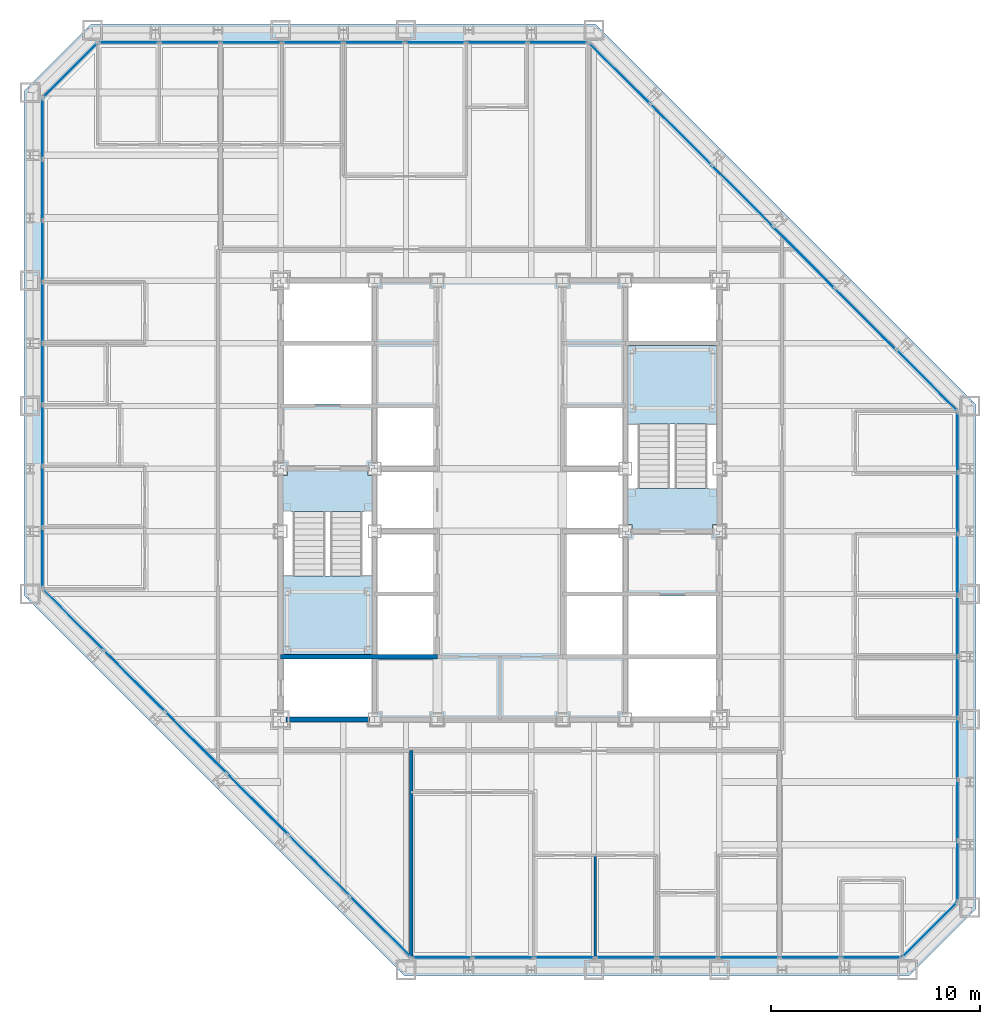
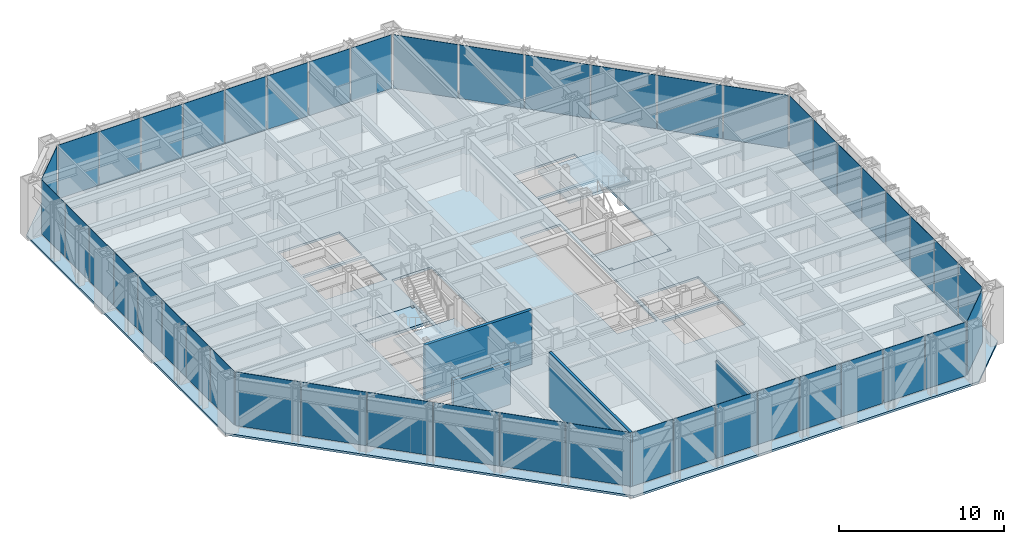
# One storey, part 9 of 16: 46 plates, 5 slabs, 4 walls, 10 elements without a shape of their own.
"""IFC4 building model written with IfcOpenShell, lengths in metres."""

from ifc_helpers import new_model, si_unit, direction, frame, frame_2d, origin, origin_2d, place, context, subcontext, project, spatial, polyline, rectangle, outline, extrude, material, layer, layer_set, type_object, element, aggregate, save


model = new_model("IFC4")

# Units and contexts
model_context = context("Model", 3, precision=1e-05, world=origin(), true_north=direction((0.0, 1.0)))
body_context = subcontext(model_context, "Body", "Model", "MODEL_VIEW")
ifc_project = project(units=[si_unit("LENGTHUNIT", "METRE"), si_unit("AREAUNIT", "SQUARE_METRE"), si_unit("VOLUMEUNIT", "CUBIC_METRE"), si_unit("PLANEANGLEUNIT", "RADIAN"), si_unit("MASSUNIT", "GRAM", prefix="KILO")], contexts=[model_context])

# Site, building, storey
site_placement = place(None, origin())
site = spatial("IfcSite", under=ifc_project, at=site_placement, CompositionType="ELEMENT")
building_placement = place(site_placement, origin())
building = spatial("IfcBuilding", under=site, at=building_placement, Name="Chuquiago Exchange Tower", CompositionType="ELEMENT")
storey_placement = place(building_placement, frame((0.0, 0.0, 148.800048828125)))
storey = spatial("IfcBuildingStorey", under=building, at=storey_placement, Name="L32", CompositionType="ELEMENT", Elevation=148.800048828125)

# Curtain wall, plates
ifc_material_1 = material(Name="Aluminium curtain wall system", Category="aluminium")
ifc_layer_1 = layer(ifc_material_1, 0.22509765625)
ifc_layer_set_1 = layer_set([ifc_layer_1], Name="CW2 office curtain wall")
curtain_wall_type_1 = type_object("IfcCurtainWallType", Name="CW2 office curtain wall", PredefinedType="NOTDEFINED", material=ifc_layer_set_1)
curtain_wall_1_placement = place(storey_placement, origin())
curtain_wall_1 = element("IfcCurtainWall", 1, at=curtain_wall_1_placement, inside=storey, type_object=curtain_wall_type_1, Name="CW2 curtain wall L32", PredefinedType="NOTDEFINED")
ifc_material_2 = material(Name="Glass, insulating unit", Category="glass")
ifc_layer_2 = layer(ifc_material_2, 0.030029296875)
ifc_layer_set_2 = layer_set([ifc_layer_2], Name="CW2-P panel 30")
plate_type_1 = type_object("IfcPlateType", Name="CW2-P panel 30", PredefinedType="CURTAIN_PANEL", material=ifc_layer_set_2)
plate_1_placement = place(storey_placement, frame((25.59326171875, 0.60009765625, 0.06494140625), z_axis=(0.0, 0.0, 1.0), x_axis=(1.0, 0.0, 0.0)))
plate_1 = element("IfcPlate", 2, at=plate_1_placement, type_object=plate_type_1, Name="CW2 panel 3.1", PredefinedType="CURTAIN_PANEL", context=body_context, shape_type="SweptSolid", body=[
    extrude(rectangle(XDim=2.872802734375, YDim=0.030029296875, at=origin_2d()), origin(), (0.0, 0.0, 1.0), 3.97509765625),
])
plate_2_placement = place(storey_placement, frame((34.40673828125, 0.60009765625, 0.06494140625), z_axis=(0.0, 0.0, 1.0), x_axis=(1.0, 0.0, 0.0)))
plate_2 = element("IfcPlate", 3, at=plate_2_placement, type_object=plate_type_1, Name="CW2 panel 6.1", PredefinedType="CURTAIN_PANEL", context=body_context, shape_type="SweptSolid", body=[
    extrude(rectangle(XDim=2.872802734375, YDim=0.030029296875, at=origin_2d()), origin(), (0.0, 0.0, 1.0), 3.97509765625),
])

curtain_wall_2_placement = place(storey_placement, origin())
curtain_wall_2 = element("IfcCurtainWall", 4, at=curtain_wall_2_placement, inside=storey, type_object=curtain_wall_type_1, Name="CW2 curtain wall L32", PredefinedType="NOTDEFINED")
plate_3_placement = place(storey_placement, frame((44.39990234375, 10.59326171875, 0.06494140625), z_axis=(0.0, 0.0, 1.0), x_axis=(0.0, 1.0, 0.0)))
plate_3 = element("IfcPlate", 5, at=plate_3_placement, type_object=plate_type_1, Name="CW2 panel 3.1", PredefinedType="CURTAIN_PANEL", context=body_context, shape_type="SweptSolid", body=[
    extrude(rectangle(XDim=2.872802734375, YDim=0.030029296875, at=origin_2d()), origin(), (0.0, 0.0, 1.0), 3.97509765625),
])
plate_4_placement = place(storey_placement, frame((44.39990234375, 19.40673828125, 0.06494140625), z_axis=(0.0, 0.0, 1.0), x_axis=(0.0, 1.0, 0.0)))
plate_4 = element("IfcPlate", 6, at=plate_4_placement, type_object=plate_type_1, Name="CW2 panel 6.1", PredefinedType="CURTAIN_PANEL", context=body_context, shape_type="SweptSolid", body=[
    extrude(rectangle(XDim=2.872802734375, YDim=0.030029296875, at=origin_2d()), origin(), (0.0, 0.0, 1.0), 3.97509765625),
])

curtain_wall_3_placement = place(storey_placement, origin())
curtain_wall_3 = element("IfcCurtainWall", 7, at=curtain_wall_3_placement, inside=storey, type_object=curtain_wall_type_1, Name="CW2 curtain wall L32", PredefinedType="NOTDEFINED")
plate_5_placement = place(storey_placement, frame((19.40673828125, 44.39990234375, 0.06494140625), z_axis=(0.0, 0.0, 1.0), x_axis=(-1.0, 0.0, 0.0)))
plate_5 = element("IfcPlate", 8, at=plate_5_placement, type_object=plate_type_1, Name="CW2 panel 3.1", PredefinedType="CURTAIN_PANEL", context=body_context, shape_type="SweptSolid", body=[
    extrude(rectangle(XDim=2.872802734375, YDim=0.030029296875, at=origin_2d()), origin(), (0.0, 0.0, 1.0), 3.97509765625),
])
plate_6_placement = place(storey_placement, frame((10.59326171875, 44.39990234375, 0.06494140625), z_axis=(0.0, 0.0, 1.0), x_axis=(-1.0, 0.0, 0.0)))
plate_6 = element("IfcPlate", 9, at=plate_6_placement, type_object=plate_type_1, Name="CW2 panel 6.1", PredefinedType="CURTAIN_PANEL", context=body_context, shape_type="SweptSolid", body=[
    extrude(rectangle(XDim=2.872802734375, YDim=0.030029296875, at=origin_2d()), origin(), (0.0, 0.0, 1.0), 3.97509765625),
])

curtain_wall_4_placement = place(storey_placement, origin())
curtain_wall_4 = element("IfcCurtainWall", 10, at=curtain_wall_4_placement, inside=storey, type_object=curtain_wall_type_1, Name="CW2 curtain wall L32", PredefinedType="NOTDEFINED")
plate_7_placement = place(storey_placement, frame((0.60009765625, 34.40673828125, 0.06494140625), z_axis=(0.0, 0.0, 1.0), x_axis=(0.0, -1.0, 0.0)))
plate_7 = element("IfcPlate", 11, at=plate_7_placement, type_object=plate_type_1, Name="CW2 panel 3.1", PredefinedType="CURTAIN_PANEL", context=body_context, shape_type="SweptSolid", body=[
    extrude(rectangle(XDim=2.872802734375, YDim=0.030029296875, at=origin_2d()), origin(), (0.0, 0.0, 1.0), 3.97509765625),
])
plate_8_placement = place(storey_placement, frame((0.60009765625, 25.59326171875, 0.06494140625), z_axis=(0.0, 0.0, 1.0), x_axis=(0.0, -1.0, 0.0)))
plate_8 = element("IfcPlate", 12, at=plate_8_placement, type_object=plate_type_1, Name="CW2 panel 6.1", PredefinedType="CURTAIN_PANEL", context=body_context, shape_type="SweptSolid", body=[
    extrude(rectangle(XDim=2.872802734375, YDim=0.030029296875, at=origin_2d()), origin(), (0.0, 0.0, 1.0), 3.97509765625),
])

# Plate
ifc_material_3 = material(Name="Insulated spandrel panel, pale anodised aluminium", Category="aluminium")
ifc_layer_3 = layer(ifc_material_3, 0.030029296875)
ifc_layer_set_3 = layer_set([ifc_layer_3], Name="CW2-P spandrel panel 30")
plate_type_2 = type_object("IfcPlateType", Name="CW2-P spandrel panel 30", PredefinedType="CURTAIN_PANEL", material=ifc_layer_set_3)
plate_9_placement = place(storey_placement, frame((19.733642578125, 0.60009765625, 0.06494140625), z_axis=(0.0, 0.0, 1.0), x_axis=(1.0, 0.0, 0.0)))
plate_9 = element("IfcPlate", 13, at=plate_9_placement, type_object=plate_type_2, Name="CW2 panel 1.1", PredefinedType="CURTAIN_PANEL", context=body_context, shape_type="SweptSolid", body=[
    extrude(rectangle(XDim=2.84033203125, YDim=0.030029296875, at=origin_2d()), origin(), (0.0, 0.0, 1.0), 3.97509765625),
])

plate_10_placement = place(storey_placement, frame((22.6552734375, 0.60009765625, 0.06494140625), z_axis=(0.0, 0.0, 1.0), x_axis=(1.0, 0.0, 0.0)))
plate_10 = element("IfcPlate", 14, at=plate_10_placement, type_object=plate_type_2, Name="CW2 panel 2.1", PredefinedType="CURTAIN_PANEL", context=body_context, shape_type="SweptSolid", body=[
    extrude(rectangle(XDim=2.872802734375, YDim=0.030029296875, at=origin_2d()), origin(), (0.0, 0.0, 1.0), 3.97509765625),
])

plate_11_placement = place(storey_placement, frame((28.531005859375, 0.60009765625, 0.06494140625), z_axis=(0.0, 0.0, 1.0), x_axis=(1.0, 0.0, 0.0)))
plate_11 = element("IfcPlate", 15, at=plate_11_placement, type_object=plate_type_2, Name="CW2 panel 4.1", PredefinedType="CURTAIN_PANEL", context=body_context, shape_type="SweptSolid", body=[
    extrude(rectangle(XDim=2.872802734375, YDim=0.030029296875, at=origin_2d()), origin(), (0.0, 0.0, 1.0), 3.97509765625),
])

plate_12_placement = place(storey_placement, frame((31.468994140625, 0.60009765625, 0.06494140625), z_axis=(0.0, 0.0, 1.0), x_axis=(1.0, 0.0, 0.0)))
plate_12 = element("IfcPlate", 16, at=plate_12_placement, type_object=plate_type_2, Name="CW2 panel 5.1", PredefinedType="CURTAIN_PANEL", context=body_context, shape_type="SweptSolid", body=[
    extrude(rectangle(XDim=2.872802734375, YDim=0.030029296875, at=origin_2d()), origin(), (0.0, 0.0, 1.0), 3.97509765625),
])

plate_13_placement = place(storey_placement, frame((37.3447265625, 0.60009765625, 0.06494140625), z_axis=(0.0, 0.0, 1.0), x_axis=(1.0, 0.0, 0.0)))
plate_13 = element("IfcPlate", 17, at=plate_13_placement, type_object=plate_type_2, Name="CW2 panel 7.1", PredefinedType="CURTAIN_PANEL", context=body_context, shape_type="SweptSolid", body=[
    extrude(rectangle(XDim=2.872802734375, YDim=0.030029296875, at=origin_2d()), origin(), (0.0, 0.0, 1.0), 3.97509765625),
])

plate_14_placement = place(storey_placement, frame((40.266357421875, 0.60009765625, 0.06494140625), z_axis=(0.0, 0.0, 1.0), x_axis=(1.0, 0.0, 0.0)))
plate_14 = element("IfcPlate", 18, at=plate_14_placement, type_object=plate_type_2, Name="CW2 panel 8.1", PredefinedType="CURTAIN_PANEL", context=body_context, shape_type="SweptSolid", body=[
    extrude(rectangle(XDim=2.84033203125, YDim=0.030029296875, at=origin_2d()), origin(), (0.0, 0.0, 1.0), 3.97509765625),
])

aggregate(curtain_wall_1, [plate_9, plate_10, plate_1, plate_11, plate_12, plate_2, plate_13, plate_14])

plate_15_placement = place(storey_placement, frame((44.39990234375, 4.733642578125, 0.06494140625), z_axis=(0.0, 0.0, 1.0), x_axis=(0.0, 1.0, 0.0)))
plate_15 = element("IfcPlate", 19, at=plate_15_placement, type_object=plate_type_2, Name="CW2 panel 1.1", PredefinedType="CURTAIN_PANEL", context=body_context, shape_type="SweptSolid", body=[
    extrude(rectangle(XDim=2.84033203125, YDim=0.030029296875, at=origin_2d()), origin(), (0.0, 0.0, 1.0), 3.97509765625),
])

plate_16_placement = place(storey_placement, frame((44.39990234375, 7.6552734375, 0.06494140625), z_axis=(0.0, 0.0, 1.0), x_axis=(0.0, 1.0, 0.0)))
plate_16 = element("IfcPlate", 20, at=plate_16_placement, type_object=plate_type_2, Name="CW2 panel 2.1", PredefinedType="CURTAIN_PANEL", context=body_context, shape_type="SweptSolid", body=[
    extrude(rectangle(XDim=2.872802734375, YDim=0.030029296875, at=origin_2d()), origin(), (0.0, 0.0, 1.0), 3.97509765625),
])

plate_17_placement = place(storey_placement, frame((44.39990234375, 13.531005859375, 0.06494140625), z_axis=(0.0, 0.0, 1.0), x_axis=(0.0, 1.0, 0.0)))
plate_17 = element("IfcPlate", 21, at=plate_17_placement, type_object=plate_type_2, Name="CW2 panel 4.1", PredefinedType="CURTAIN_PANEL", context=body_context, shape_type="SweptSolid", body=[
    extrude(rectangle(XDim=2.872802734375, YDim=0.030029296875, at=origin_2d()), origin(), (0.0, 0.0, 1.0), 3.97509765625),
])

plate_18_placement = place(storey_placement, frame((44.39990234375, 16.468994140625, 0.06494140625), z_axis=(0.0, 0.0, 1.0), x_axis=(0.0, 1.0, 0.0)))
plate_18 = element("IfcPlate", 22, at=plate_18_placement, type_object=plate_type_2, Name="CW2 panel 5.1", PredefinedType="CURTAIN_PANEL", context=body_context, shape_type="SweptSolid", body=[
    extrude(rectangle(XDim=2.872802734375, YDim=0.030029296875, at=origin_2d()), origin(), (0.0, 0.0, 1.0), 3.97509765625),
])

plate_19_placement = place(storey_placement, frame((44.39990234375, 22.3447265625, 0.06494140625), z_axis=(0.0, 0.0, 1.0), x_axis=(0.0, 1.0, 0.0)))
plate_19 = element("IfcPlate", 23, at=plate_19_placement, type_object=plate_type_2, Name="CW2 panel 7.1", PredefinedType="CURTAIN_PANEL", context=body_context, shape_type="SweptSolid", body=[
    extrude(rectangle(XDim=2.872802734375, YDim=0.030029296875, at=origin_2d()), origin(), (0.0, 0.0, 1.0), 3.97509765625),
])

plate_20_placement = place(storey_placement, frame((44.39990234375, 25.266357421875, 0.06494140625), z_axis=(0.0, 0.0, 1.0), x_axis=(0.0, 1.0, 0.0)))
plate_20 = element("IfcPlate", 24, at=plate_20_placement, type_object=plate_type_2, Name="CW2 panel 8.1", PredefinedType="CURTAIN_PANEL", context=body_context, shape_type="SweptSolid", body=[
    extrude(rectangle(XDim=2.84033203125, YDim=0.030029296875, at=origin_2d()), origin(), (0.0, 0.0, 1.0), 3.97509765625),
])

aggregate(curtain_wall_2, [plate_15, plate_16, plate_3, plate_17, plate_18, plate_4, plate_19, plate_20])

plate_21_placement = place(storey_placement, frame((25.266357421875, 44.39990234375, 0.06494140625), z_axis=(0.0, 0.0, 1.0), x_axis=(-1.0, 0.0, 0.0)))
plate_21 = element("IfcPlate", 25, at=plate_21_placement, type_object=plate_type_2, Name="CW2 panel 1.1", PredefinedType="CURTAIN_PANEL", context=body_context, shape_type="SweptSolid", body=[
    extrude(rectangle(XDim=2.84033203125, YDim=0.030029296875, at=origin_2d()), origin(), (0.0, 0.0, 1.0), 3.97509765625),
])

plate_22_placement = place(storey_placement, frame((22.3447265625, 44.39990234375, 0.06494140625), z_axis=(0.0, 0.0, 1.0), x_axis=(-1.0, 0.0, 0.0)))
plate_22 = element("IfcPlate", 26, at=plate_22_placement, type_object=plate_type_2, Name="CW2 panel 2.1", PredefinedType="CURTAIN_PANEL", context=body_context, shape_type="SweptSolid", body=[
    extrude(rectangle(XDim=2.872802734375, YDim=0.030029296875, at=origin_2d()), origin(), (0.0, 0.0, 1.0), 3.97509765625),
])

plate_23_placement = place(storey_placement, frame((16.468994140625, 44.39990234375, 0.06494140625), z_axis=(0.0, 0.0, 1.0), x_axis=(-1.0, 0.0, 0.0)))
plate_23 = element("IfcPlate", 27, at=plate_23_placement, type_object=plate_type_2, Name="CW2 panel 4.1", PredefinedType="CURTAIN_PANEL", context=body_context, shape_type="SweptSolid", body=[
    extrude(rectangle(XDim=2.872802734375, YDim=0.030029296875, at=origin_2d()), origin(), (0.0, 0.0, 1.0), 3.97509765625),
])

plate_24_placement = place(storey_placement, frame((13.531005859375, 44.39990234375, 0.06494140625), z_axis=(0.0, 0.0, 1.0), x_axis=(-1.0, 0.0, 0.0)))
plate_24 = element("IfcPlate", 28, at=plate_24_placement, type_object=plate_type_2, Name="CW2 panel 5.1", PredefinedType="CURTAIN_PANEL", context=body_context, shape_type="SweptSolid", body=[
    extrude(rectangle(XDim=2.872802734375, YDim=0.030029296875, at=origin_2d()), origin(), (0.0, 0.0, 1.0), 3.97509765625),
])

plate_25_placement = place(storey_placement, frame((7.6552734375, 44.39990234375, 0.06494140625), z_axis=(0.0, 0.0, 1.0), x_axis=(-1.0, 0.0, 0.0)))
plate_25 = element("IfcPlate", 29, at=plate_25_placement, type_object=plate_type_2, Name="CW2 panel 7.1", PredefinedType="CURTAIN_PANEL", context=body_context, shape_type="SweptSolid", body=[
    extrude(rectangle(XDim=2.872802734375, YDim=0.030029296875, at=origin_2d()), origin(), (0.0, 0.0, 1.0), 3.97509765625),
])

plate_26_placement = place(storey_placement, frame((4.733642578125, 44.39990234375, 0.06494140625), z_axis=(0.0, 0.0, 1.0), x_axis=(-1.0, 0.0, 0.0)))
plate_26 = element("IfcPlate", 30, at=plate_26_placement, type_object=plate_type_2, Name="CW2 panel 8.1", PredefinedType="CURTAIN_PANEL", context=body_context, shape_type="SweptSolid", body=[
    extrude(rectangle(XDim=2.84033203125, YDim=0.030029296875, at=origin_2d()), origin(), (0.0, 0.0, 1.0), 3.97509765625),
])

aggregate(curtain_wall_3, [plate_21, plate_22, plate_5, plate_23, plate_24, plate_6, plate_25, plate_26])

plate_27_placement = place(storey_placement, frame((0.60009765625, 40.266357421875, 0.06494140625), z_axis=(0.0, 0.0, 1.0), x_axis=(0.0, -1.0, 0.0)))
plate_27 = element("IfcPlate", 31, at=plate_27_placement, type_object=plate_type_2, Name="CW2 panel 1.1", PredefinedType="CURTAIN_PANEL", context=body_context, shape_type="SweptSolid", body=[
    extrude(rectangle(XDim=2.84033203125, YDim=0.030029296875, at=origin_2d()), origin(), (0.0, 0.0, 1.0), 3.97509765625),
])

plate_28_placement = place(storey_placement, frame((0.60009765625, 37.3447265625, 0.06494140625), z_axis=(0.0, 0.0, 1.0), x_axis=(0.0, -1.0, 0.0)))
plate_28 = element("IfcPlate", 32, at=plate_28_placement, type_object=plate_type_2, Name="CW2 panel 2.1", PredefinedType="CURTAIN_PANEL", context=body_context, shape_type="SweptSolid", body=[
    extrude(rectangle(XDim=2.872802734375, YDim=0.030029296875, at=origin_2d()), origin(), (0.0, 0.0, 1.0), 3.97509765625),
])

plate_29_placement = place(storey_placement, frame((0.60009765625, 31.468994140625, 0.06494140625), z_axis=(0.0, 0.0, 1.0), x_axis=(0.0, -1.0, 0.0)))
plate_29 = element("IfcPlate", 33, at=plate_29_placement, type_object=plate_type_2, Name="CW2 panel 4.1", PredefinedType="CURTAIN_PANEL", context=body_context, shape_type="SweptSolid", body=[
    extrude(rectangle(XDim=2.872802734375, YDim=0.030029296875, at=origin_2d()), origin(), (0.0, 0.0, 1.0), 3.97509765625),
])

plate_30_placement = place(storey_placement, frame((0.60009765625, 28.531005859375, 0.06494140625), z_axis=(0.0, 0.0, 1.0), x_axis=(0.0, -1.0, 0.0)))
plate_30 = element("IfcPlate", 34, at=plate_30_placement, type_object=plate_type_2, Name="CW2 panel 5.1", PredefinedType="CURTAIN_PANEL", context=body_context, shape_type="SweptSolid", body=[
    extrude(rectangle(XDim=2.872802734375, YDim=0.030029296875, at=origin_2d()), origin(), (0.0, 0.0, 1.0), 3.97509765625),
])

plate_31_placement = place(storey_placement, frame((0.60009765625, 22.6552734375, 0.06494140625), z_axis=(0.0, 0.0, 1.0), x_axis=(0.0, -1.0, 0.0)))
plate_31 = element("IfcPlate", 35, at=plate_31_placement, type_object=plate_type_2, Name="CW2 panel 7.1", PredefinedType="CURTAIN_PANEL", context=body_context, shape_type="SweptSolid", body=[
    extrude(rectangle(XDim=2.872802734375, YDim=0.030029296875, at=origin_2d()), origin(), (0.0, 0.0, 1.0), 3.97509765625),
])

plate_32_placement = place(storey_placement, frame((0.60009765625, 19.733642578125, 0.06494140625), z_axis=(0.0, 0.0, 1.0), x_axis=(0.0, -1.0, 0.0)))
plate_32 = element("IfcPlate", 36, at=plate_32_placement, type_object=plate_type_2, Name="CW2 panel 8.1", PredefinedType="CURTAIN_PANEL", context=body_context, shape_type="SweptSolid", body=[
    extrude(rectangle(XDim=2.84033203125, YDim=0.030029296875, at=origin_2d()), origin(), (0.0, 0.0, 1.0), 3.97509765625),
])

aggregate(curtain_wall_4, [plate_27, plate_28, plate_7, plate_29, plate_30, plate_8, plate_31, plate_32])

# Curtain wall, plate
ifc_material_4 = material(Name="Aluminium curtain wall system", Category="aluminium")
ifc_layer_4 = layer(ifc_material_4, 0.199951171875)
ifc_layer_set_4 = layer_set([ifc_layer_4], Name="CW3 facet curtain wall")
curtain_wall_type_2 = type_object("IfcCurtainWallType", Name="CW3 facet curtain wall", PredefinedType="NOTDEFINED", material=ifc_layer_set_4)
curtain_wall_5_placement = place(storey_placement, origin())
curtain_wall_5 = element("IfcCurtainWall", 37, at=curtain_wall_5_placement, inside=storey, type_object=curtain_wall_type_2, Name="CW3 curtain wall L32", PredefinedType="NOTDEFINED")
ifc_material_5 = material(Name="Insulated spandrel panel, pale anodised aluminium", Category="aluminium")
ifc_layer_5 = layer(ifc_material_5, 0.030029296875)
ifc_layer_set_5 = layer_set([ifc_layer_5], Name="CW3-P spandrel panel 30")
plate_type_3 = type_object("IfcPlateType", Name="CW3-P spandrel panel 30", PredefinedType="CURTAIN_PANEL", material=ifc_layer_set_5)
plate_33_placement = place(storey_placement, frame((43.07568359375, 1.92431640625, 0.06494140625), z_axis=(0.0, 0.0, 1.0), x_axis=(0.707106781187, 0.707106781187, 0.0)))
plate_33 = element("IfcPlate", 38, at=plate_33_placement, type_object=plate_type_3, Name="CW3 panel 1.1", PredefinedType="CURTAIN_PANEL", context=body_context, shape_type="SweptSolid", body=[
    extrude(rectangle(XDim=3.615478515625, YDim=0.030029296875, at=origin_2d()), origin(), (0.0, 0.0, 1.0), 3.97509765625),
])
aggregate(curtain_wall_5, [plate_33])

# Curtain wall, plates
curtain_wall_6_placement = place(storey_placement, origin())
curtain_wall_6 = element("IfcCurtainWall", 39, at=curtain_wall_6_placement, inside=storey, type_object=curtain_wall_type_2, Name="CW3 curtain wall L32", PredefinedType="NOTDEFINED")
plate_34_placement = place(storey_placement, frame((42.917724609375, 28.233642578125, 0.06494140625), z_axis=(0.0, 0.0, 1.0), x_axis=(-0.707106781187, 0.707106781187, 0.0)))
plate_34 = element("IfcPlate", 40, at=plate_34_placement, type_object=plate_type_3, Name="CW3 panel 1.1", PredefinedType="CURTAIN_PANEL", context=body_context, shape_type="SweptSolid", body=[
    extrude(rectangle(XDim=4.062255859375, YDim=0.030029296875, at=origin_2d()), origin(), (0.0, 0.0, 1.0), 3.97509765625),
])
plate_35_placement = place(storey_placement, frame((39.98779296875, 31.16357421875, 0.06494140625), z_axis=(0.0, 0.0, 1.0), x_axis=(-0.707106781187, 0.707106781187, 0.0)))
plate_35 = element("IfcPlate", 41, at=plate_35_placement, type_object=plate_type_3, Name="CW3 panel 2.1", PredefinedType="CURTAIN_PANEL", context=body_context, shape_type="SweptSolid", body=[
    extrude(rectangle(XDim=4.0947265625, YDim=0.030029296875, at=origin_2d()), origin(), (0.0, 0.0, 1.0), 3.97509765625),
])
plate_36_placement = place(storey_placement, frame((37.04638671875, 34.10498046875, 0.06494140625), z_axis=(0.0, 0.0, 1.0), x_axis=(-0.707106781187, 0.707106781187, 0.0)))
plate_36 = element("IfcPlate", 42, at=plate_36_placement, type_object=plate_type_3, Name="CW3 panel 3.1", PredefinedType="CURTAIN_PANEL", context=body_context, shape_type="SweptSolid", body=[
    extrude(rectangle(XDim=4.0947265625, YDim=0.030029296875, at=origin_2d()), origin(), (0.0, 0.0, 1.0), 3.97509765625),
])
plate_37_placement = place(storey_placement, frame((34.10498046875, 37.04638671875, 0.06494140625), z_axis=(0.0, 0.0, 1.0), x_axis=(-0.707106781187, 0.707106781187, 0.0)))
plate_37 = element("IfcPlate", 43, at=plate_37_placement, type_object=plate_type_3, Name="CW3 panel 4.1", PredefinedType="CURTAIN_PANEL", context=body_context, shape_type="SweptSolid", body=[
    extrude(rectangle(XDim=4.0947265625, YDim=0.030029296875, at=origin_2d()), origin(), (0.0, 0.0, 1.0), 3.97509765625),
])
plate_38_placement = place(storey_placement, frame((31.16357421875, 39.98779296875, 0.06494140625), z_axis=(0.0, 0.0, 1.0), x_axis=(-0.707106781187, 0.707106781187, 0.0)))
plate_38 = element("IfcPlate", 44, at=plate_38_placement, type_object=plate_type_3, Name="CW3 panel 5.1", PredefinedType="CURTAIN_PANEL", context=body_context, shape_type="SweptSolid", body=[
    extrude(rectangle(XDim=4.0947265625, YDim=0.030029296875, at=origin_2d()), origin(), (0.0, 0.0, 1.0), 3.97509765625),
])
plate_39_placement = place(storey_placement, frame((28.233642578125, 42.917724609375, 0.06494140625), z_axis=(0.0, 0.0, 1.0), x_axis=(-0.707106781187, 0.707106781187, 0.0)))
plate_39 = element("IfcPlate", 45, at=plate_39_placement, type_object=plate_type_3, Name="CW3 panel 6.1", PredefinedType="CURTAIN_PANEL", context=body_context, shape_type="SweptSolid", body=[
    extrude(rectangle(XDim=4.062255859375, YDim=0.030029296875, at=origin_2d()), origin(), (0.0, 0.0, 1.0), 3.97509765625),
])
aggregate(curtain_wall_6, [plate_34, plate_35, plate_36, plate_37, plate_38, plate_39])

# Curtain wall, plate
curtain_wall_7_placement = place(storey_placement, origin())
curtain_wall_7 = element("IfcCurtainWall", 46, at=curtain_wall_7_placement, inside=storey, type_object=curtain_wall_type_2, Name="CW3 curtain wall L32", PredefinedType="NOTDEFINED")
plate_40_placement = place(storey_placement, frame((1.92431640625, 43.07568359375, 0.06494140625), z_axis=(0.0, 0.0, 1.0), x_axis=(-0.707106781187, -0.707106781187, 0.0)))
plate_40 = element("IfcPlate", 47, at=plate_40_placement, type_object=plate_type_3, Name="CW3 panel 1.1", PredefinedType="CURTAIN_PANEL", context=body_context, shape_type="SweptSolid", body=[
    extrude(rectangle(XDim=3.615478515625, YDim=0.030029296875, at=origin_2d()), origin(), (0.0, 0.0, 1.0), 3.97509765625),
])
aggregate(curtain_wall_7, [plate_40])

# Curtain wall, plates
curtain_wall_8_placement = place(storey_placement, origin())
curtain_wall_8 = element("IfcCurtainWall", 48, at=curtain_wall_8_placement, inside=storey, type_object=curtain_wall_type_2, Name="CW3 curtain wall L32", PredefinedType="NOTDEFINED")
plate_41_placement = place(storey_placement, frame((2.082275390625, 16.766357421875, 0.06494140625), z_axis=(0.0, 0.0, 1.0), x_axis=(0.707106781187, -0.707106781187, 0.0)))
plate_41 = element("IfcPlate", 49, at=plate_41_placement, type_object=plate_type_3, Name="CW3 panel 1.1", PredefinedType="CURTAIN_PANEL", context=body_context, shape_type="SweptSolid", body=[
    extrude(rectangle(XDim=4.062255859375, YDim=0.030029296875, at=origin_2d()), origin(), (0.0, 0.0, 1.0), 3.97509765625),
])
plate_42_placement = place(storey_placement, frame((5.01220703125, 13.83642578125, 0.06494140625), z_axis=(0.0, 0.0, 1.0), x_axis=(0.707106781187, -0.707106781187, 0.0)))
plate_42 = element("IfcPlate", 50, at=plate_42_placement, type_object=plate_type_3, Name="CW3 panel 2.1", PredefinedType="CURTAIN_PANEL", context=body_context, shape_type="SweptSolid", body=[
    extrude(rectangle(XDim=4.0947265625, YDim=0.030029296875, at=origin_2d()), origin(), (0.0, 0.0, 1.0), 3.97509765625),
])
plate_43_placement = place(storey_placement, frame((7.95361328125, 10.89501953125, 0.06494140625), z_axis=(0.0, 0.0, 1.0), x_axis=(0.707106781187, -0.707106781187, 0.0)))
plate_43 = element("IfcPlate", 51, at=plate_43_placement, type_object=plate_type_3, Name="CW3 panel 3.1", PredefinedType="CURTAIN_PANEL", context=body_context, shape_type="SweptSolid", body=[
    extrude(rectangle(XDim=4.0947265625, YDim=0.030029296875, at=origin_2d()), origin(), (0.0, 0.0, 1.0), 3.97509765625),
])
plate_44_placement = place(storey_placement, frame((10.89501953125, 7.95361328125, 0.06494140625), z_axis=(0.0, 0.0, 1.0), x_axis=(0.707106781187, -0.707106781187, 0.0)))
plate_44 = element("IfcPlate", 52, at=plate_44_placement, type_object=plate_type_3, Name="CW3 panel 4.1", PredefinedType="CURTAIN_PANEL", context=body_context, shape_type="SweptSolid", body=[
    extrude(rectangle(XDim=4.0947265625, YDim=0.030029296875, at=origin_2d()), origin(), (0.0, 0.0, 1.0), 3.97509765625),
])
plate_45_placement = place(storey_placement, frame((13.83642578125, 5.01220703125, 0.06494140625), z_axis=(0.0, 0.0, 1.0), x_axis=(0.707106781187, -0.707106781187, 0.0)))
plate_45 = element("IfcPlate", 53, at=plate_45_placement, type_object=plate_type_3, Name="CW3 panel 5.1", PredefinedType="CURTAIN_PANEL", context=body_context, shape_type="SweptSolid", body=[
    extrude(rectangle(XDim=4.0947265625, YDim=0.030029296875, at=origin_2d()), origin(), (0.0, 0.0, 1.0), 3.97509765625),
])
plate_46_placement = place(storey_placement, frame((16.766357421875, 2.082275390625, 0.06494140625), z_axis=(0.0, 0.0, 1.0), x_axis=(0.707106781187, -0.707106781187, 0.0)))
plate_46 = element("IfcPlate", 54, at=plate_46_placement, type_object=plate_type_3, Name="CW3 panel 6.1", PredefinedType="CURTAIN_PANEL", context=body_context, shape_type="SweptSolid", body=[
    extrude(rectangle(XDim=4.062255859375, YDim=0.030029296875, at=origin_2d()), origin(), (0.0, 0.0, 1.0), 3.97509765625),
])
aggregate(curtain_wall_8, [plate_41, plate_42, plate_43, plate_44, plate_45, plate_46])

# Slab
ifc_material_6 = material(Name="Concrete C30/37", Category="concrete")
ifc_layer_6 = layer(ifc_material_6, 0.159912109375)
ifc_layer_set_6 = layer_set([ifc_layer_6], Name="FS1 composite floor 160")
slab_type_1 = type_object("IfcSlabType", Name="FS1 composite floor 160", PredefinedType="FLOOR", material=ifc_layer_set_6)
slab_1_placement = place(storey_placement, frame((0.0, 0.0, -0.16015625)))
element("IfcSlab", 55, at=slab_1_placement, inside=storey, type_object=slab_type_1, Name="L32 floor slab", PredefinedType="FLOOR", context=body_context, shape_type="SweptSolid", body=[
    extrude(outline(polyline([(17.896484375, -0.25), (-0.25, 17.896484375), (-0.25, 42.103515625), (2.896484375, 45.25), (27.103515625, 45.25), (45.25, 27.103515625), (45.25, 2.896484375), (42.103515625, -0.25), (17.896484375, -0.25)]), holes=[polyline([(16.39990234375, 15.10009765625), (12.10009765625, 15.10009765625), (12.10009765625, 23.89990234375), (16.39990234375, 23.89990234375), (16.39990234375, 15.10009765625)]), polyline([(32.89990234375, 21.10009765625), (28.60009765625, 21.10009765625), (28.60009765625, 29.89990234375), (32.89990234375, 29.89990234375), (32.89990234375, 21.10009765625)]), polyline([(16.39990234375, 12.10009765625), (12.10009765625, 12.10009765625), (12.10009765625, 14.89990234375), (16.39990234375, 14.89990234375), (16.39990234375, 12.10009765625)]), polyline([(16.39990234375, 30.10009765625), (12.10009765625, 30.10009765625), (12.10009765625, 32.89990234375), (16.39990234375, 32.89990234375), (16.39990234375, 30.10009765625)]), polyline([(32.89990234375, 12.10009765625), (28.60009765625, 12.10009765625), (28.60009765625, 14.89990234375), (32.89990234375, 14.89990234375), (32.89990234375, 12.10009765625)]), polyline([(32.89990234375, 30.10009765625), (28.60009765625, 30.10009765625), (28.60009765625, 32.89990234375), (32.89990234375, 32.89990234375), (32.89990234375, 30.10009765625)]), polyline([(16.39990234375, 27.10009765625), (12.10009765625, 27.10009765625), (12.10009765625, 29.89990234375), (16.39990234375, 29.89990234375), (16.39990234375, 27.10009765625)]), polyline([(32.89990234375, 15.10009765625), (28.60009765625, 15.10009765625), (28.60009765625, 17.89990234375), (32.89990234375, 17.89990234375), (32.89990234375, 15.10009765625)]), polyline([(19.39990234375, 15.10009765625), (16.60009765625, 15.10009765625), (16.60009765625, 26.89990234375), (19.39990234375, 26.89990234375), (19.39990234375, 15.10009765625)]), polyline([(28.39990234375, 15.10009765625), (25.60009765625, 15.10009765625), (25.60009765625, 26.89990234375), (28.39990234375, 26.89990234375), (28.39990234375, 15.10009765625)])]), origin(), (0.0, 0.0, 1.0), 0.16015625),
])

# Stair, slabs
ifc_material_7 = material(Name="Concrete C30/37, precast", Category="concrete")
stair_type_1 = type_object("IfcStairType", Name="ST1 half-turn stair 4200", PredefinedType="HALF_TURN_STAIR", material=ifc_material_7)
stair_1_placement = place(storey_placement, origin())
stair_1 = element("IfcStair", 56, at=stair_1_placement, inside=storey, type_object=stair_type_1, Name="Stair ST1 L32", PredefinedType="HALF_TURN_STAIR")
ifc_material_8 = material(Name="Concrete C30/37, precast", Category="concrete")
ifc_layer_7 = layer(ifc_material_8, 0.199951171875)
ifc_layer_set_7 = layer_set([ifc_layer_7], Name="ST-L landing 200")
slab_type_2 = type_object("IfcSlabType", Name="ST-L landing 200", PredefinedType="LANDING", material=ifc_layer_set_7)
slab_2_placement = place(storey_placement, frame((0.0, 0.0, -0.199951171875)))
slab_2 = element("IfcSlab", 57, at=slab_2_placement, type_object=slab_type_2, Name="ST1 landing 1", PredefinedType="LANDING", context=body_context, shape_type="SweptSolid", body=[
    extrude(outline(polyline([(12.324951171875, 23.89990234375), (16.175048828125, 23.89990234375), (16.175048828125, 23.675048828125), (16.39990234375, 23.675048828125), (16.39990234375, 21.949951171875), (12.10009765625, 21.949951171875), (12.10009765625, 23.675048828125), (12.324951171875, 23.675048828125), (12.324951171875, 23.89990234375)])), origin(), (0.0, 0.0, 1.0), 0.199951171875),
])
slab_3_placement = place(storey_placement, frame((0.0, 0.0, 1.89990234375)))
slab_3 = element("IfcSlab", 58, at=slab_3_placement, type_object=slab_type_2, Name="ST1 landing 2", PredefinedType="LANDING", context=body_context, shape_type="SweptSolid", body=[
    extrude(outline(polyline([(12.10009765625, 18.8701171875), (16.39990234375, 18.8701171875), (16.39990234375, 15.10009765625), (12.10009765625, 15.10009765625), (12.10009765625, 18.8701171875)])), origin(), (0.0, 0.0, 1.0), 0.199951171875),
])
aggregate(stair_1, [slab_2, slab_3])

ifc_material_9 = material(Name="Concrete C30/37, precast", Category="concrete")
stair_type_2 = type_object("IfcStairType", Name="ST2 half-turn stair 4200", PredefinedType="HALF_TURN_STAIR", material=ifc_material_9)
stair_2_placement = place(storey_placement, origin())
stair_2 = element("IfcStair", 59, at=stair_2_placement, inside=storey, type_object=stair_type_2, Name="Stair ST2 L32", PredefinedType="HALF_TURN_STAIR")
slab_4_placement = place(storey_placement, frame((0.0, 0.0, -0.199951171875)))
slab_4 = element("IfcSlab", 60, at=slab_4_placement, type_object=slab_type_2, Name="ST2 landing 1", PredefinedType="LANDING", context=body_context, shape_type="SweptSolid", body=[
    extrude(outline(polyline([(32.675048828125, 21.324951171875), (32.675048828125, 21.10009765625), (28.824951171875, 21.10009765625), (28.824951171875, 21.324951171875), (28.60009765625, 21.324951171875), (28.60009765625, 23.050048828125), (32.89990234375, 23.050048828125), (32.89990234375, 21.324951171875), (32.675048828125, 21.324951171875)])), origin(), (0.0, 0.0, 1.0), 0.199951171875),
])
slab_5_placement = place(storey_placement, frame((0.0, 0.0, 1.89990234375)))
slab_5 = element("IfcSlab", 61, at=slab_5_placement, type_object=slab_type_2, Name="ST2 landing 2", PredefinedType="LANDING", context=body_context, shape_type="SweptSolid", body=[
    extrude(outline(polyline([(28.60009765625, 29.89990234375), (32.89990234375, 29.89990234375), (32.89990234375, 26.1298828125), (28.60009765625, 26.1298828125), (28.60009765625, 29.89990234375)])), origin(), (0.0, 0.0, 1.0), 0.199951171875),
])
aggregate(stair_2, [slab_4, slab_5])

# Walls
ifc_material_10 = material(Name="Concrete masonry, fully grouted", Category="masonry")
ifc_layer_8 = layer(ifc_material_10, 0.25)
ifc_layer_set_8 = layer_set([ifc_layer_8], Name="W1 core wall 250")
wall_type_1 = type_object("IfcWallType", Name="W1 core wall 250", PredefinedType="SOLIDWALL", material=ifc_layer_set_8)
wall_1_placement = place(storey_placement, frame((12.25, 12.0, 0.0), z_axis=(0.0, 0.0, 1.0), x_axis=(1.0, 0.0, 0.0)))
element("IfcWall", 62, at=wall_1_placement, inside=storey, type_object=wall_type_1, Name="CW-L32-01-0", PredefinedType="SOLIDWALL", context=body_context, shape_type="SweptSolid", body=[
    extrude(rectangle(XDim=4.0, YDim=0.25, at=frame_2d((2.0, 0.0))), origin(), (0.0, 0.0, 1.0), 3.181396484375),
])
ifc_material_11 = material(Name="Gypsum board on twin steel studs, acoustic insulation", Category="steel")
ifc_layer_9 = layer(ifc_material_11, 0.175048828125)
ifc_layer_set_9 = layer_set([ifc_layer_9], Name="W12 tenant demising wall 175")
wall_type_2 = type_object("IfcWallType", Name="W12 tenant demising wall 175", PredefinedType="PARTITIONING", material=ifc_layer_set_9)
wall_2_placement = place(storey_placement, frame((18.24853515625, 0.666015625, 0.0), z_axis=(0.0, 0.0, 1.0), x_axis=(0.0, 1.0, 0.0)))
element("IfcWall", 63, at=wall_2_placement, inside=storey, type_object=wall_type_2, Name="PW-L32-DS01825", PredefinedType="PARTITIONING", context=body_context, shape_type="SweptSolid", body=[
    extrude(rectangle(XDim=9.833984375, YDim=0.175048828125, at=frame_2d((4.9169921875, 0.0))), origin(), (0.0, 0.0, 1.0), 4.0400390625),
])
ifc_material_12 = material(Name="Concrete masonry, fully grouted", Category="masonry")
ifc_layer_10 = layer(ifc_material_12, 0.199951171875)
ifc_layer_set_10 = layer_set([ifc_layer_10], Name="W2 shaft wall 200")
wall_type_3 = type_object("IfcWallType", Name="W2 shaft wall 200", PredefinedType="SOLIDWALL", material=ifc_layer_set_10)
wall_3_placement = place(storey_placement, frame((12.0, 15.0, 0.0), z_axis=(0.0, 0.0, 1.0), x_axis=(1.0, 0.0, 0.0)))
element("IfcWall", 64, at=wall_3_placement, inside=storey, type_object=wall_type_3, Name="CW-L32-03-0", PredefinedType="SOLIDWALL", context=body_context, shape_type="SweptSolid", body=[
    extrude(rectangle(XDim=7.5, YDim=0.199951171875, at=frame_2d((3.75, 0.0))), origin(), (0.0, 0.0, 1.0), 4.0400390625),
])
ifc_material_13 = material(Name="Gypsum board on steel studs", Category="steel")
ifc_layer_11 = layer(ifc_material_13, 0.1201171875)
ifc_layer_set_11 = layer_set([ifc_layer_11], Name="W4 partition 120")
wall_type_4 = type_object("IfcWallType", Name="W4 partition 120", PredefinedType="PARTITIONING", material=ifc_layer_set_11)
wall_4_placement = place(storey_placement, frame((27.06201171875, 0.652587890625, 0.0), z_axis=(0.0, 0.0, 1.0), x_axis=(0.0, 1.0, 0.0)))
element("IfcWall", 65, at=wall_4_placement, inside=storey, type_object=wall_type_4, Name="PW-L32-S02706", PredefinedType="PARTITIONING", context=body_context, shape_type="SweptSolid", body=[
    extrude(rectangle(XDim=4.847412109375, YDim=0.1201171875, at=frame_2d((2.423828125, 0.0))), origin(), (0.0, 0.0, 1.0), 3.356689453125),
])

save(model, "model.ifc")
